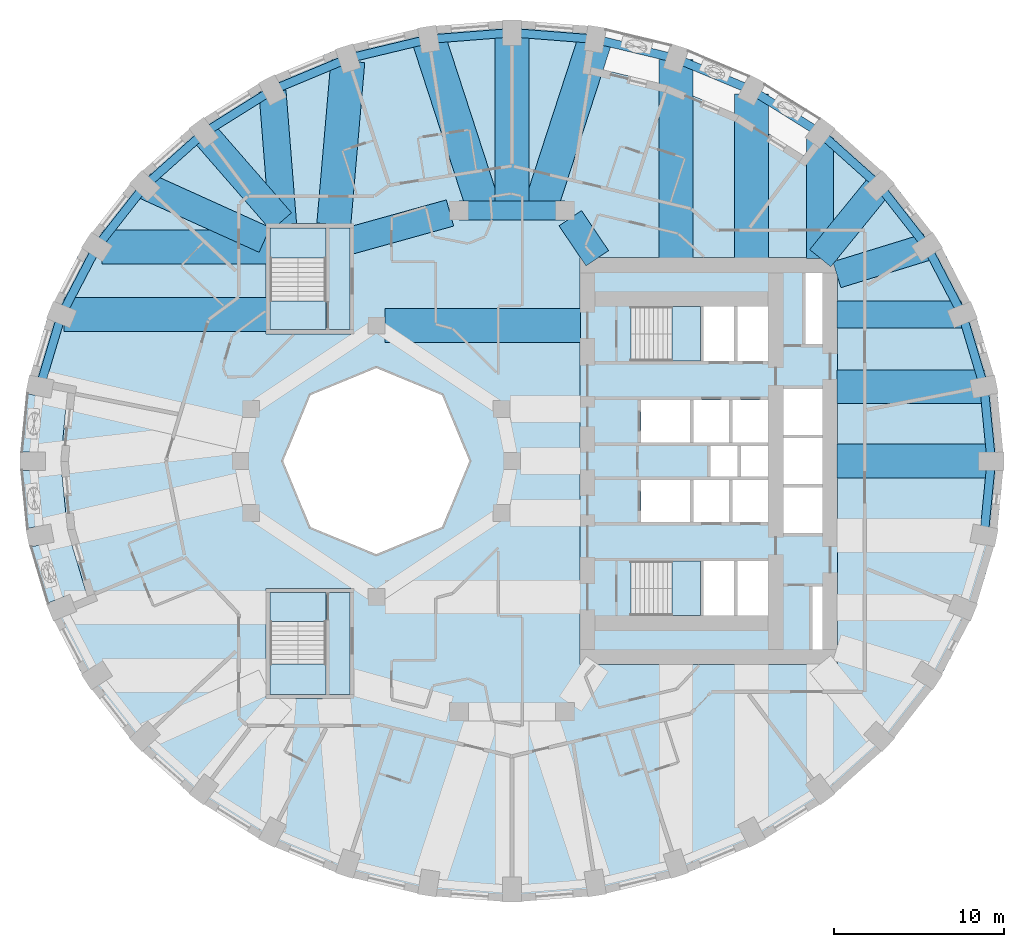
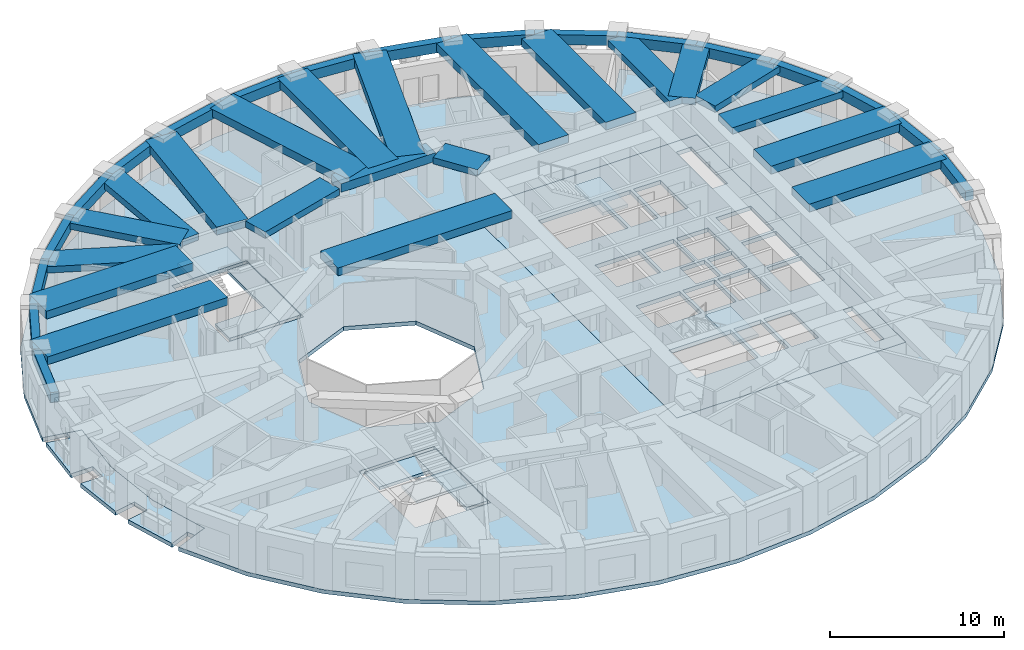
# One storey, part 2 of 14: 39 beams, 11 slabs, 4 elements without a shape of their own.
"""IFC4 building model written with IfcOpenShell, lengths in metres."""

from ifc_helpers import new_model, si_unit, direction, frame, origin, origin_2d, place, context, subcontext, project, spatial, polyline, rectangle, outline, extrude, material, layer, layer_set, material_profile, profile_set, type_object, element, aggregate, save


model = new_model("IFC4")

# Units and contexts
model_context = context("Model", 3, precision=1e-05, world=origin(), true_north=direction((0.0, 1.0)))
body_context = subcontext(model_context, "Body", "Model", "MODEL_VIEW")
ifc_project = project(units=[si_unit("LENGTHUNIT", "METRE"), si_unit("AREAUNIT", "SQUARE_METRE"), si_unit("VOLUMEUNIT", "CUBIC_METRE"), si_unit("PLANEANGLEUNIT", "RADIAN"), si_unit("MASSUNIT", "GRAM", prefix="KILO")], contexts=[model_context])

# Site, building, storey
site_placement = place(None, origin())
site = spatial("IfcSite", under=ifc_project, at=site_placement, CompositionType="ELEMENT")
building_placement = place(site_placement, origin())
building = spatial("IfcBuilding", under=site, at=building_placement, Name="Taillehof Tower", CompositionType="ELEMENT")
storey_placement = place(building_placement, frame((0.0, 0.0, 25.0)))
storey = spatial("IfcBuildingStorey", under=building, at=storey_placement, Name="L05", CompositionType="ELEMENT", Elevation=25.0)

# Beams
ifc_material_1 = material(Name="Concrete C50/60", Category="concrete")
ifc_material_profile_1 = material_profile(ifc_material_1, rectangle(XDim=1.10009765625, YDim=0.60009765625, at=origin_2d()), Name="RC 1100x600")
ifc_profile_set_1 = profile_set([ifc_material_profile_1], Name="Concrete C50/60")
beam_type_1 = type_object("IfcBeamType", Name="Mid-ring beam C50/60 1100x600", PredefinedType="BEAM", material=ifc_profile_set_1)
beam_1_placement = place(storey_placement, frame((3.125732421875, 14.772216796875, 2.719970703125), z_axis=(-1.0, 0.0, 0.0), x_axis=(0.0, -1.0, 0.0)))
element("IfcBeam", 1, at=beam_1_placement, inside=storey, type_object=beam_type_1, Name="Mid-ring beam MB01", PredefinedType="BEAM", context=body_context, shape_type="SweptSolid", body=[
    extrude(rectangle(XDim=1.10009765625, YDim=0.60009765625, at=origin_2d()), origin(), (0.0, 0.0, 1.0), 6.25146484375),
])
ifc_material_2 = material(Name="Concrete C50/60", Category="concrete")
ifc_material_profile_2 = material_profile(ifc_material_2, rectangle(XDim=1.60009765625, YDim=0.449951171875, at=origin_2d()), Name="RC 1600x450")
ifc_profile_set_2 = profile_set([ifc_material_profile_2], Name="Concrete C50/60")
beam_type_2 = type_object("IfcBeamType", Name="Radial band beam C50/60 1600x450", PredefinedType="BEAM", material=ifc_profile_set_2)
beam_2_placement = place(storey_placement, frame((26.490478515625, 8.635986328125, 2.794921875), z_axis=(-1.0, 0.0, 0.0), x_axis=(0.0, -1.0, 0.0)))
element("IfcBeam", 2, at=beam_2_placement, inside=storey, type_object=beam_type_2, Name="Radial band beam RB03", PredefinedType="BEAM", context=body_context, shape_type="SweptSolid", body=[
    extrude(rectangle(XDim=1.60009765625, YDim=0.449951171875, at=origin_2d()), origin(), (0.0, 0.0, 1.0), 7.340576171875),
])
beam_3_placement = place(storey_placement, frame((24.46533203125, 12.625, 2.794921875), z_axis=(-0.955535654338, -0.294875589511, 0.0), x_axis=(0.294875589511, -0.955535654338, 0.0)))
element("IfcBeam", 3, at=beam_3_placement, inside=storey, type_object=beam_type_2, Name="Radial band beam RB04", PredefinedType="BEAM", context=body_context, shape_type="SweptSolid", body=[
    extrude(rectangle(XDim=1.60009765625, YDim=0.449951171875, at=origin_2d()), origin(), (0.0, 0.0, 1.0), 5.560546875),
])
beam_4_placement = place(storey_placement, frame((21.640869140625, 16.23046875, 2.794921875), z_axis=(-0.630988373846, -0.775792286679, 0.0), x_axis=(0.775792286679, -0.630988373846, 0.0)))
element("IfcBeam", 4, at=beam_4_placement, inside=storey, type_object=beam_type_2, Name="Radial band beam RB05", PredefinedType="BEAM", context=body_context, shape_type="SweptSolid", body=[
    extrude(rectangle(XDim=1.60009765625, YDim=0.449951171875, at=origin_2d()), origin(), (0.0, 0.0, 1.0), 5.503173828125),
])
beam_5_placement = place(storey_placement, frame((18.15869140625, 19.05517578125, 2.794921875), z_axis=(0.0, -1.0, 0.0), x_axis=(1.0, 0.0, 0.0)))
element("IfcBeam", 5, at=beam_5_placement, inside=storey, type_object=beam_type_2, Name="Radial band beam RB06", PredefinedType="BEAM", context=body_context, shape_type="SweptSolid", body=[
    extrude(rectangle(XDim=1.60009765625, YDim=0.449951171875, at=origin_2d()), origin(), (0.0, 0.0, 1.0), 7.105224609375),
])
beam_6_placement = place(storey_placement, frame((-14.119873046875, 21.802978515625, 2.794921875), z_axis=(0.079184740988, -0.996859958467, 0.0), x_axis=(0.996859958467, 0.079184740988, 0.0)))
element("IfcBeam", 6, at=beam_6_placement, inside=storey, type_object=beam_type_2, Name="Radial band beam RB13", PredefinedType="BEAM", context=body_context, shape_type="SweptSolid", body=[
    extrude(rectangle(XDim=1.60009765625, YDim=0.449951171875, at=origin_2d()), origin(), (0.0, 0.0, 1.0), 7.87744140625),
])
beam_7_placement = place(storey_placement, frame((-18.15869140625, 19.342529296875, 2.794921875), z_axis=(0.65721824087, -0.753700327628, 0.0), x_axis=(0.753700327628, 0.65721824087, 0.0)))
element("IfcBeam", 7, at=beam_7_placement, inside=storey, type_object=beam_type_2, Name="Radial band beam RB14", PredefinedType="BEAM", context=body_context, shape_type="SweptSolid", body=[
    extrude(rectangle(XDim=1.60009765625, YDim=0.449951171875, at=origin_2d()), origin(), (0.0, 0.0, 1.0), 6.9384765625),
])
beam_8_placement = place(storey_placement, frame((-21.632568359375, 16.226806640625, 2.794921875), z_axis=(0.911100590789, -0.412184077161, 0.0), x_axis=(0.412184077161, 0.911100590789, 0.0)))
element("IfcBeam", 8, at=beam_8_placement, inside=storey, type_object=beam_type_2, Name="Radial band beam RB15", PredefinedType="BEAM", context=body_context, shape_type="SweptSolid", body=[
    extrude(rectangle(XDim=1.60009765625, YDim=0.449951171875, at=origin_2d()), origin(), (0.0, 0.0, 1.0), 7.740966796875),
])
beam_9_placement = place(storey_placement, frame((3.433837890625, 14.31640625, 2.794921875), z_axis=(0.560112043398, -0.828416862962, 0.0), x_axis=(0.828416862962, 0.560112043398, 0.0)))
element("IfcBeam", 9, at=beam_9_placement, inside=storey, type_object=beam_type_2, Name="Inner band beam IB205", PredefinedType="BEAM", context=body_context, shape_type="SweptSolid", body=[
    extrude(rectangle(XDim=1.60009765625, YDim=0.449951171875, at=origin_2d()), origin(), (0.0, 0.0, 1.0), 2.84619140625),
])
beam_10_placement = place(storey_placement, frame((-3.655517578125, 14.624755859375, 2.794921875), z_axis=(-0.963459369536, -0.267854518821, 0.0), x_axis=(0.267854518821, -0.963459369536, 0.0)))
element("IfcBeam", 10, at=beam_10_placement, inside=storey, type_object=beam_type_2, Name="Inner band beam IB206", PredefinedType="BEAM", context=body_context, shape_type="SweptSolid", body=[
    extrude(rectangle(XDim=1.60009765625, YDim=0.449951171875, at=origin_2d()), origin(), (0.0, 0.0, 1.0), 6.096923828125),
])
ifc_material_3 = material(Name="Concrete C50/60", Category="concrete")
ifc_material_profile_3 = material_profile(ifc_material_3, rectangle(XDim=2.0, YDim=0.550048828125, at=origin_2d()), Name="RC 2000x550")
ifc_profile_set_3 = profile_set([ifc_material_profile_3], Name="Concrete C50/60")
beam_type_3 = type_object("IfcBeamType", Name="Radial band beam C50/60 2000x550", PredefinedType="BEAM", material=ifc_profile_set_3)
beam_11_placement = place(storey_placement, frame((28.25, 0.0, 2.7451171875), z_axis=(-1.0, 0.0, 0.0), x_axis=(0.0, -1.0, 0.0)))
element("IfcBeam", 11, at=beam_11_placement, inside=storey, type_object=beam_type_3, Name="Radial band beam RB01", PredefinedType="BEAM", context=body_context, shape_type="SweptSolid", body=[
    extrude(rectangle(XDim=2.0, YDim=0.550048828125, at=origin_2d()), origin(), (0.0, 0.0, 1.0), 9.10009765625),
])
beam_12_placement = place(storey_placement, frame((27.82080078125, 4.384521484375, 2.7451171875), z_axis=(-1.0, 0.0, 0.0), x_axis=(0.0, -1.0, 0.0)))
element("IfcBeam", 12, at=beam_12_placement, inside=storey, type_object=beam_type_3, Name="Radial band beam RB02", PredefinedType="BEAM", context=body_context, shape_type="SweptSolid", body=[
    extrude(rectangle(XDim=2.0, YDim=0.550048828125, at=origin_2d()), origin(), (0.0, 0.0, 1.0), 8.6708984375),
])
beam_13_placement = place(storey_placement, frame((14.125, 21.63232421875, 2.7451171875), z_axis=(0.0, -1.0, 0.0), x_axis=(1.0, 0.0, 0.0)))
element("IfcBeam", 13, at=beam_13_placement, inside=storey, type_object=beam_type_3, Name="Radial band beam RB07", PredefinedType="BEAM", context=body_context, shape_type="SweptSolid", body=[
    extrude(rectangle(XDim=2.0, YDim=0.550048828125, at=origin_2d()), origin(), (0.0, 0.0, 1.0), 9.682373046875),
])
beam_14_placement = place(storey_placement, frame((9.662109375, 23.664794921875, 2.7451171875), z_axis=(0.0, -1.0, 0.0), x_axis=(1.0, 0.0, 0.0)))
element("IfcBeam", 14, at=beam_14_placement, inside=storey, type_object=beam_type_3, Name="Radial band beam RB08", PredefinedType="BEAM", context=body_context, shape_type="SweptSolid", body=[
    extrude(rectangle(XDim=2.0, YDim=0.550048828125, at=origin_2d()), origin(), (0.0, 0.0, 1.0), 11.71484375),
])
beam_15_placement = place(storey_placement, frame((4.905517578125, 24.866455078125, 2.7451171875), z_axis=(-0.309014294595, -0.951057393503, 0.0), x_axis=(0.951057393503, -0.309014294595, 0.0)))
element("IfcBeam", 15, at=beam_15_placement, inside=storey, type_object=beam_type_3, Name="Radial band beam RB09", PredefinedType="BEAM", context=body_context, shape_type="SweptSolid", body=[
    extrude(rectangle(XDim=2.0, YDim=0.550048828125, at=origin_2d()), origin(), (0.0, 0.0, 1.0), 10.61376953125),
])
beam_16_placement = place(storey_placement, frame((0.0, 25.25, 2.7451171875), z_axis=(0.0, -1.0, 0.0), x_axis=(1.0, 0.0, 0.0)))
element("IfcBeam", 16, at=beam_16_placement, inside=storey, type_object=beam_type_3, Name="Radial band beam RB10", PredefinedType="BEAM", context=body_context, shape_type="SweptSolid", body=[
    extrude(rectangle(XDim=2.0, YDim=0.550048828125, at=origin_2d()), origin(), (0.0, 0.0, 1.0), 10.477783203125),
])
beam_17_placement = place(storey_placement, frame((-4.905517578125, 24.866455078125, 2.7451171875), z_axis=(0.309014294595, -0.951057393503, 0.0), x_axis=(0.951057393503, 0.309014294595, 0.0)))
element("IfcBeam", 17, at=beam_17_placement, inside=storey, type_object=beam_type_3, Name="Radial band beam RB11", PredefinedType="BEAM", context=body_context, shape_type="SweptSolid", body=[
    extrude(rectangle(XDim=2.0, YDim=0.550048828125, at=origin_2d()), origin(), (0.0, 0.0, 1.0), 10.61376953125),
])
beam_18_placement = place(storey_placement, frame((-9.675048828125, 23.575927734375, 2.7451171875), z_axis=(-0.085841202752, -0.996308831593, 0.0), x_axis=(0.996308831593, -0.085841202752, 0.0)))
element("IfcBeam", 18, at=beam_18_placement, inside=storey, type_object=beam_type_3, Name="Radial band beam RB12", PredefinedType="BEAM", context=body_context, shape_type="SweptSolid", body=[
    extrude(rectangle(XDim=2.0, YDim=0.550048828125, at=origin_2d()), origin(), (0.0, 0.0, 1.0), 9.661376953125),
])
beam_19_placement = place(storey_placement, frame((-24.172607421875, 12.625, 2.7451171875), z_axis=(1.0, 0.0, 0.0), x_axis=(0.0, 1.0, 0.0)))
element("IfcBeam", 19, at=beam_19_placement, inside=storey, type_object=beam_type_3, Name="Radial band beam RB16", PredefinedType="BEAM", context=body_context, shape_type="SweptSolid", body=[
    extrude(rectangle(XDim=2.0, YDim=0.550048828125, at=origin_2d()), origin(), (0.0, 0.0, 1.0), 9.72265625),
])
beam_20_placement = place(storey_placement, frame((-26.408935546875, 8.635986328125, 2.7451171875), z_axis=(1.0, 0.0, 0.0), x_axis=(0.0, 1.0, 0.0)))
element("IfcBeam", 20, at=beam_20_placement, inside=storey, type_object=beam_type_3, Name="Radial band beam RB17", PredefinedType="BEAM", context=body_context, shape_type="SweptSolid", body=[
    extrude(rectangle(XDim=2.0, YDim=0.550048828125, at=origin_2d()), origin(), (0.0, 0.0, 1.0), 11.958984375),
])
beam_21_placement = place(storey_placement, frame((-7.5, 8.0, 2.7451171875), z_axis=(1.0, 0.0, 0.0), x_axis=(0.0, 1.0, 0.0)))
element("IfcBeam", 21, at=beam_21_placement, inside=storey, type_object=beam_type_3, Name="Inner band beam IB105", PredefinedType="BEAM", context=body_context, shape_type="SweptSolid", body=[
    extrude(rectangle(XDim=2.0, YDim=0.550048828125, at=origin_2d()), origin(), (0.0, 0.0, 1.0), 11.550048828125),
])
ifc_material_4 = material(Name="Concrete C50/60", Category="concrete")
ifc_material_profile_4 = material_profile(ifc_material_4, rectangle(XDim=0.5, YDim=0.699951171875, at=origin_2d()), Name="RC 500x700")
ifc_profile_set_4 = profile_set([ifc_material_profile_4], Name="Concrete C50/60")
beam_type_4 = type_object("IfcBeamType", Name="Spandrel beam C50/60 500x700", PredefinedType="SPANDREL", material=ifc_profile_set_4)
beam_22_placement = place(storey_placement, frame((28.25, 0.0, 2.669921875), z_axis=(-0.097423973567, 0.99524297002, 0.0), x_axis=(-0.99524297002, -0.097423973567, 0.0)))
element("IfcBeam", 22, at=beam_22_placement, inside=storey, type_object=beam_type_4, Name="Spandrel beam SB01", PredefinedType="SPANDREL", context=body_context, shape_type="SweptSolid", body=[
    extrude(rectangle(XDim=0.5, YDim=0.699951171875, at=origin_2d()), origin(), (0.0, 0.0, 1.0), 4.405517578125),
])
beam_23_placement = place(storey_placement, frame((27.82080078125, 4.384521484375, 2.669921875), z_axis=(-0.287135925407, 0.957889847707, 0.0), x_axis=(-0.957889847707, -0.287135925407, 0.0)))
element("IfcBeam", 23, at=beam_23_placement, inside=storey, type_object=beam_type_4, Name="Spandrel beam SB02", PredefinedType="SPANDREL", context=body_context, shape_type="SweptSolid", body=[
    extrude(rectangle(XDim=0.5, YDim=0.699951171875, at=origin_2d()), origin(), (0.0, 0.0, 1.0), 4.4384765625),
])
beam_24_placement = place(storey_placement, frame((26.54638671875, 8.635986328125, 2.669921875), z_axis=(-0.462536335232, 0.886600326297, 0.0), x_axis=(-0.886600326297, -0.462536335232, 0.0)))
element("IfcBeam", 24, at=beam_24_placement, inside=storey, type_object=beam_type_4, Name="Spandrel beam SB03", PredefinedType="SPANDREL", context=body_context, shape_type="SweptSolid", body=[
    extrude(rectangle(XDim=0.5, YDim=0.699951171875, at=origin_2d()), origin(), (0.0, 0.0, 1.0), 4.499267578125),
])
beam_25_placement = place(storey_placement, frame((24.46533203125, 12.625, 2.669921875), z_axis=(-0.616686200373, 0.787209076593, 0.0), x_axis=(-0.787209076593, -0.616686200373, 0.0)))
element("IfcBeam", 25, at=beam_25_placement, inside=storey, type_object=beam_type_4, Name="Spandrel beam SB04", PredefinedType="SPANDREL", context=body_context, shape_type="SweptSolid", body=[
    extrude(rectangle(XDim=0.5, YDim=0.699951171875, at=origin_2d()), origin(), (0.0, 0.0, 1.0), 4.580078125),
])
beam_26_placement = place(storey_placement, frame((21.640869140625, 16.23046875, 2.669921875), z_axis=(-0.745621283614, 0.666369943366, 0.0), x_axis=(-0.666369943366, -0.745621283614, 0.0)))
element("IfcBeam", 26, at=beam_26_placement, inside=storey, type_object=beam_type_4, Name="Spandrel beam SB05", PredefinedType="SPANDREL", context=body_context, shape_type="SweptSolid", body=[
    extrude(rectangle(XDim=0.5, YDim=0.699951171875, at=origin_2d()), origin(), (0.0, 0.0, 1.0), 4.670166015625),
])
beam_27_placement = place(storey_placement, frame((18.15869140625, 19.342529296875, 2.669921875), z_axis=(-0.847658018883, 0.530543007703, 0.0), x_axis=(-0.530543007703, -0.847658018883, 0.0)))
element("IfcBeam", 27, at=beam_27_placement, inside=storey, type_object=beam_type_4, Name="Spandrel beam SB06", PredefinedType="SPANDREL", context=body_context, shape_type="SweptSolid", body=[
    extrude(rectangle(XDim=0.5, YDim=0.699951171875, at=origin_2d()), origin(), (0.0, 0.0, 1.0), 4.758544921875),
])
beam_28_placement = place(storey_placement, frame((14.125, 21.8671875, 2.669921875), z_axis=(-0.923035088053, 0.384715773297, 0.0), x_axis=(-0.384715773297, -0.923035088053, 0.0)))
element("IfcBeam", 28, at=beam_28_placement, inside=storey, type_object=beam_type_4, Name="Spandrel beam SB07", PredefinedType="SPANDREL", context=body_context, shape_type="SweptSolid", body=[
    extrude(rectangle(XDim=0.5, YDim=0.699951171875, at=origin_2d()), origin(), (0.0, 0.0, 1.0), 4.8349609375),
])
beam_29_placement = place(storey_placement, frame((9.662109375, 23.727294921875, 2.669921875), z_axis=(-0.9724995553, 0.232904733616, 0.0), x_axis=(-0.232904733616, -0.9724995553, 0.0)))
element("IfcBeam", 29, at=beam_29_placement, inside=storey, type_object=beam_type_4, Name="Spandrel beam SB08", PredefinedType="SPANDREL", context=body_context, shape_type="SweptSolid", body=[
    extrude(rectangle(XDim=0.5, YDim=0.699951171875, at=origin_2d()), origin(), (0.0, 0.0, 1.0), 4.89111328125),
])
for number, where, z_axis, x_axis, name in (
    (30, (4.905517578125, 24.866455078125, 2.669921875), (-0.996957383661, 0.077948541767, 0.0), (-0.077948541767, -0.996957383661, 0.0), "Spandrel beam SB09"),
    (31, (0.0, 25.25, 2.669921875), (-0.996957383661, -0.077948541767, 0.0), (0.077948541767, -0.996957383661, 0.0), "Spandrel beam SB10"),
):
    element("IfcBeam", number, at=place(storey_placement, frame(where, z_axis=z_axis, x_axis=x_axis)), inside=storey, type_object=beam_type_4, Name=name, PredefinedType="SPANDREL", context=body_context, shape_type="SweptSolid", body=[
        extrude(rectangle(XDim=0.5, YDim=0.699951171875, at=origin_2d()), origin(), (0.0, 0.0, 1.0), 4.92041015625),
    ])
beam_30_placement = place(storey_placement, frame((-4.905517578125, 24.866455078125, 2.669921875), z_axis=(-0.9724995553, -0.232904733616, 0.0), x_axis=(0.232904733616, -0.9724995553, 0.0)))
element("IfcBeam", 32, at=beam_30_placement, inside=storey, type_object=beam_type_4, Name="Spandrel beam SB11", PredefinedType="SPANDREL", context=body_context, shape_type="SweptSolid", body=[
    extrude(rectangle(XDim=0.5, YDim=0.699951171875, at=origin_2d()), origin(), (0.0, 0.0, 1.0), 4.89111328125),
])
beam_31_placement = place(storey_placement, frame((-9.662109375, 23.727294921875, 2.669921875), z_axis=(-0.923035088053, -0.384715773297, 0.0), x_axis=(0.384715773297, -0.923035088053, 0.0)))
element("IfcBeam", 33, at=beam_31_placement, inside=storey, type_object=beam_type_4, Name="Spandrel beam SB12", PredefinedType="SPANDREL", context=body_context, shape_type="SweptSolid", body=[
    extrude(rectangle(XDim=0.5, YDim=0.699951171875, at=origin_2d()), origin(), (0.0, 0.0, 1.0), 4.8349609375),
])
beam_32_placement = place(storey_placement, frame((-14.125, 21.8671875, 2.669921875), z_axis=(-0.847658018883, -0.530543007703, 0.0), x_axis=(0.530543007703, -0.847658018883, 0.0)))
element("IfcBeam", 34, at=beam_32_placement, inside=storey, type_object=beam_type_4, Name="Spandrel beam SB13", PredefinedType="SPANDREL", context=body_context, shape_type="SweptSolid", body=[
    extrude(rectangle(XDim=0.5, YDim=0.699951171875, at=origin_2d()), origin(), (0.0, 0.0, 1.0), 4.758544921875),
])
beam_33_placement = place(storey_placement, frame((-18.15869140625, 19.342529296875, 2.669921875), z_axis=(-0.745621283614, -0.666369943366, 0.0), x_axis=(0.666369943366, -0.745621283614, 0.0)))
element("IfcBeam", 35, at=beam_33_placement, inside=storey, type_object=beam_type_4, Name="Spandrel beam SB14", PredefinedType="SPANDREL", context=body_context, shape_type="SweptSolid", body=[
    extrude(rectangle(XDim=0.5, YDim=0.699951171875, at=origin_2d()), origin(), (0.0, 0.0, 1.0), 4.670166015625),
])
beam_34_placement = place(storey_placement, frame((-21.640869140625, 16.23046875, 2.669921875), z_axis=(-0.616686200373, -0.787209076593, 0.0), x_axis=(0.787209076593, -0.616686200373, 0.0)))
element("IfcBeam", 36, at=beam_34_placement, inside=storey, type_object=beam_type_4, Name="Spandrel beam SB15", PredefinedType="SPANDREL", context=body_context, shape_type="SweptSolid", body=[
    extrude(rectangle(XDim=0.5, YDim=0.699951171875, at=origin_2d()), origin(), (0.0, 0.0, 1.0), 4.580078125),
])
beam_35_placement = place(storey_placement, frame((-24.46533203125, 12.625, 2.669921875), z_axis=(-0.462536335232, -0.886600326297, 0.0), x_axis=(0.886600326297, -0.462536335232, 0.0)))
element("IfcBeam", 37, at=beam_35_placement, inside=storey, type_object=beam_type_4, Name="Spandrel beam SB16", PredefinedType="SPANDREL", context=body_context, shape_type="SweptSolid", body=[
    extrude(rectangle(XDim=0.5, YDim=0.699951171875, at=origin_2d()), origin(), (0.0, 0.0, 1.0), 4.499267578125),
])
beam_36_placement = place(storey_placement, frame((-26.54638671875, 8.635986328125, 2.669921875), z_axis=(-0.287135925407, -0.957889847707, 0.0), x_axis=(0.957889847707, -0.287135925407, 0.0)))
element("IfcBeam", 38, at=beam_36_placement, inside=storey, type_object=beam_type_4, Name="Spandrel beam SB17", PredefinedType="SPANDREL", context=body_context, shape_type="SweptSolid", body=[
    extrude(rectangle(XDim=0.5, YDim=0.699951171875, at=origin_2d()), origin(), (0.0, 0.0, 1.0), 4.4384765625),
])
beam_37_placement = place(storey_placement, frame((27.82080078125, -4.384521484375, 2.669921875), z_axis=(0.097423973567, 0.99524297002, 0.0), x_axis=(-0.99524297002, 0.097423973567, 0.0)))
element("IfcBeam", 39, at=beam_37_placement, inside=storey, type_object=beam_type_4, Name="Spandrel beam SB36", PredefinedType="SPANDREL", context=body_context, shape_type="SweptSolid", body=[
    extrude(rectangle(XDim=0.5, YDim=0.699951171875, at=origin_2d()), origin(), (0.0, 0.0, 1.0), 4.405517578125),
])

# Slabs
ifc_material_5 = material(Name="Concrete C40/50", Category="concrete")
ifc_layer_1 = layer(ifc_material_5, 0.280029296875)
ifc_layer_set_1 = layer_set([ifc_layer_1], Name="Balcony slab 280")
slab_type_1 = type_object("IfcSlabType", Name="Balcony slab 280", PredefinedType="USERDEFINED", material=ifc_layer_set_1)
slab_1_placement = place(storey_placement, frame((0.0, 0.0, -0.280029296875)))
element("IfcSlab", 40, at=slab_1_placement, inside=storey, type_object=slab_type_1, Name="Balcony L05 pocket 5", ObjectType="BALCONY", PredefinedType="USERDEFINED", context=body_context, shape_type="SweptSolid", body=[
    extrude(outline(polyline([(-25.02734375, -7.98974609375), (-25.86181640625, -8.328369140625), (-26.058349609375, -7.84423828125), (-27.4013671875, -8.3896484375), (-28.39697265625, -5.058349609375), (-26.978759765625, -4.779541015625), (-27.191162109375, -3.7001953125), (-28.611572265625, -3.979736328125), (-28.9462890625, -0.550048828125), (-27.5, -0.550048828125), (-27.5, 0.550048828125), (-28.9462890625, 0.550048828125), (-28.611572265625, 3.979736328125), (-27.191162109375, 3.7001953125), (-27.087646484375, 4.225341796875), (-26.20458984375, 4.0517578125), (-26.60009765625, 0.0), (-26.20458984375, -4.0517578125), (-25.02734375, -7.98974609375)])), origin(), (0.0, 0.0, 1.0), 0.280029296875),
])
ifc_material_6 = material(Name="Concrete C40/50", Category="concrete")
ifc_layer_2 = layer(ifc_material_6, 0.280029296875)
ifc_layer_set_2 = layer_set([ifc_layer_2], Name="Core floor slab C40/50 280")
slab_type_2 = type_object("IfcSlabType", Name="Core floor slab C40/50 280", PredefinedType="FLOOR", material=ifc_layer_set_2)
slab_2_placement = place(storey_placement, frame((0.0, 0.0, -0.280029296875)))
element("IfcSlab", 41, at=slab_2_placement, inside=storey, type_object=slab_type_2, Name="Core floor L05", PredefinedType="FLOOR", context=body_context, shape_type="SweptSolid", body=[
    extrude(outline(polyline([(4.0, -12.0), (4.0, 12.0), (19.199951171875, 12.0), (19.199951171875, -12.0), (4.0, -12.0)]), holes=[polyline([(7.00048828125, -9.10009765625), (11.10009765625, -9.10009765625), (11.10009765625, -5.89990234375), (7.00048828125, -5.89990234375), (7.00048828125, -9.10009765625)]), polyline([(13.10009765625, -9.10009765625), (13.10009765625, -5.89990234375), (11.300048828125, -5.89990234375), (11.300048828125, -9.10009765625), (13.10009765625, -9.10009765625)]), polyline([(10.5, -3.60009765625), (10.5, -1.10009765625), (7.60009765625, -1.10009765625), (7.60009765625, -3.60009765625), (10.5, -3.60009765625)]), polyline([(12.800048828125, -3.60009765625), (12.800048828125, -1.10009765625), (10.699951171875, -1.10009765625), (10.699951171875, -3.60009765625), (12.800048828125, -3.60009765625)]), polyline([(13.300048828125, -0.89990234375), (13.300048828125, 0.89990234375), (11.699951171875, 0.89990234375), (11.699951171875, -0.89990234375), (13.300048828125, -0.89990234375)]), polyline([(10.5, 1.10009765625), (10.5, 3.60009765625), (7.60009765625, 3.60009765625), (7.60009765625, 1.10009765625), (10.5, 1.10009765625)]), polyline([(12.800048828125, 1.10009765625), (12.800048828125, 3.60009765625), (10.699951171875, 3.60009765625), (10.699951171875, 1.10009765625), (12.800048828125, 1.10009765625)]), polyline([(13.0, 1.10009765625), (15.10009765625, 1.10009765625), (15.10009765625, 3.60009765625), (13.0, 3.60009765625), (13.0, 1.10009765625)]), polyline([(11.300048828125, 5.89990234375), (13.10009765625, 5.89990234375), (13.10009765625, 9.10009765625), (11.300048828125, 9.10009765625), (11.300048828125, 5.89990234375)]), polyline([(11.10009765625, 5.89990234375), (11.10009765625, 9.10009765625), (7.00048828125, 9.10009765625), (7.00048828125, 5.89990234375), (11.10009765625, 5.89990234375)]), polyline([(18.300048828125, -11.10009765625), (18.300048828125, -7.39990234375), (17.699951171875, -7.39990234375), (17.699951171875, -11.10009765625), (18.300048828125, -11.10009765625)]), polyline([(15.10009765625, -9.10009765625), (15.10009765625, -5.89990234375), (13.300048828125, -5.89990234375), (13.300048828125, -9.10009765625), (15.10009765625, -9.10009765625)]), polyline([(16.0, -4.25), (18.300048828125, -4.25), (18.300048828125, -1.550048828125), (16.0, -1.550048828125), (16.0, -4.25)]), polyline([(13.0, -3.60009765625), (15.10009765625, -3.60009765625), (15.10009765625, -1.10009765625), (13.0, -1.10009765625), (13.0, -3.60009765625)]), polyline([(15.10009765625, -0.89990234375), (15.10009765625, 0.89990234375), (13.5, 0.89990234375), (13.5, -0.89990234375), (15.10009765625, -0.89990234375)]), polyline([(18.300048828125, -1.35009765625), (18.300048828125, 1.35009765625), (16.0, 1.35009765625), (16.0, -1.35009765625), (18.300048828125, -1.35009765625)]), polyline([(18.300048828125, 1.550048828125), (18.300048828125, 4.25), (16.0, 4.25), (16.0, 1.550048828125), (18.300048828125, 1.550048828125)]), polyline([(13.300048828125, 5.89990234375), (15.10009765625, 5.89990234375), (15.10009765625, 9.10009765625), (13.300048828125, 9.10009765625), (13.300048828125, 5.89990234375)]), polyline([(17.300048828125, 6.89990234375), (18.300048828125, 6.89990234375), (18.300048828125, 11.10009765625), (17.300048828125, 11.10009765625), (17.300048828125, 6.89990234375)])]), origin(), (0.0, 0.0, 1.0), 0.280029296875),
])
ifc_material_7 = material(Name="Concrete C40/50", Category="concrete")
ifc_layer_3 = layer(ifc_material_7, 0.280029296875)
ifc_layer_set_3 = layer_set([ifc_layer_3], Name="Floor slab 280")
slab_type_3 = type_object("IfcSlabType", Name="Floor slab 280", PredefinedType="FLOOR", material=ifc_layer_set_3)
slab_3_placement = place(storey_placement, frame((0.0, 0.0, -0.280029296875)))
element("IfcSlab", 42, at=slab_3_placement, inside=storey, type_object=slab_type_3, Name="Floor slab L05", PredefinedType="FLOOR", context=body_context, shape_type="SweptSolid", body=[
    extrude(outline(polyline([(29.0, 0.0), (28.559326171875, 4.514892578125), (27.251220703125, 8.892578125), (25.11474609375, 13.0), (22.21533203125, 16.71240234375), (18.640869140625, 19.917236328125), (17.197998046875, 17.999267578125), (13.396728515625, 20.38525390625), (9.174072265625, 22.150390625), (4.660888671875, 23.234375), (5.035888671875, 25.60498046875), (0.0, 26.0), (-5.035888671875, 25.60498046875), (-9.918701171875, 24.431884765625), (-14.5, 22.5166015625), (-18.640869140625, 19.917236328125), (-22.21533203125, 16.71240234375), (-25.11474609375, 13.0), (-27.251220703125, 8.892578125), (-28.559326171875, 4.514892578125), (-26.20458984375, 4.0517578125), (-26.60009765625, 0.0), (-26.20458984375, -4.0517578125), (-25.02734375, -7.98974609375), (-27.251220703125, -8.892578125), (-25.11474609375, -13.0), (-22.21533203125, -16.71240234375), (-18.640869140625, -19.917236328125), (-14.5, -22.5166015625), (-9.918701171875, -24.431884765625), (-5.035888671875, -25.60498046875), (0.0, -26.0), (5.035888671875, -25.60498046875), (9.918701171875, -24.431884765625), (14.5, -22.5166015625), (18.640869140625, -19.917236328125), (22.21533203125, -16.71240234375), (25.11474609375, -13.0), (27.251220703125, -8.892578125), (28.559326171875, -4.514892578125), (29.0, 0.0)]), holes=[polyline([(-14.5, -7.5), (-9.5, -7.5), (-9.5, -14.0), (-14.5, -14.0), (-14.5, -7.5)]), polyline([(-8.0, -5.5), (-11.88916015625, -3.88916015625), (-13.5, 0.0), (-11.88916015625, 3.88916015625), (-8.0, 5.5), (-4.11083984375, 3.88916015625), (-2.5, 0.0), (-4.11083984375, -3.88916015625), (-8.0, -5.5)]), polyline([(19.199951171875, 12.0), (19.199951171875, -12.0), (4.0, -12.0), (4.0, 12.0), (19.199951171875, 12.0)]), polyline([(-14.5, 14.0), (-9.5, 14.0), (-9.5, 7.5), (-14.5, 7.5), (-14.5, 14.0)])]), origin(), (0.0, 0.0, 1.0), 0.280029296875),
])

# Stair, slab
ifc_material_8 = material(Name="Concrete C40/50", Category="concrete")
stair_type = type_object("IfcStairType", Name="Exit stair half-turn", PredefinedType="HALF_TURN_STAIR", material=ifc_material_8)
stair_1_placement = place(storey_placement, origin())
stair_1 = element("IfcStair", 43, at=stair_1_placement, inside=storey, type_object=stair_type, Name="Exit stair S1", PredefinedType="HALF_TURN_STAIR")
ifc_material_9 = material(Name="Concrete C40/50", Category="concrete")
ifc_layer_4 = layer(ifc_material_9, 0.2099609375)
ifc_layer_set_4 = layer_set([ifc_layer_4], Name="Stair landing C40/50 210")
slab_type_4 = type_object("IfcSlabType", Name="Stair landing C40/50 210", PredefinedType="LANDING", material=ifc_layer_set_4)
slab_4_placement = place(storey_placement, frame((0.0, 0.0, 1.43994140625)))
slab_4 = element("IfcSlab", 44, at=slab_4_placement, type_object=slab_type_4, Name="S1 landing 1", PredefinedType="LANDING", context=body_context, shape_type="SweptSolid", body=[
    extrude(outline(polyline([(9.429931640625, 5.89990234375), (11.10009765625, 5.89990234375), (11.10009765625, 9.10009765625), (9.429931640625, 9.10009765625), (9.429931640625, 5.89990234375)])), origin(), (0.0, 0.0, 1.0), 0.2099609375),
])
aggregate(stair_1, [slab_4])

stair_2_placement = place(storey_placement, origin())
stair_2 = element("IfcStair", 45, at=stair_2_placement, inside=storey, type_object=stair_type, Name="Exit stair S2", PredefinedType="HALF_TURN_STAIR")
slab_5_placement = place(storey_placement, frame((0.0, 0.0, 1.43994140625)))
slab_5 = element("IfcSlab", 46, at=slab_5_placement, type_object=slab_type_4, Name="S2 landing 1", PredefinedType="LANDING", context=body_context, shape_type="SweptSolid", body=[
    extrude(outline(polyline([(9.429931640625, -5.89990234375), (11.10009765625, -5.89990234375), (11.10009765625, -9.10009765625), (9.429931640625, -9.10009765625), (9.429931640625, -5.89990234375)])), origin(), (0.0, 0.0, 1.0), 0.2099609375),
])
aggregate(stair_2, [slab_5])

stair_3_placement = place(storey_placement, origin())
stair_3 = element("IfcStair", 47, at=stair_3_placement, inside=storey, type_object=stair_type, Name="Exit stair S3", PredefinedType="HALF_TURN_STAIR")
slab_6_placement = place(storey_placement, frame((0.0, 0.0, 1.43994140625)))
slab_6 = element("IfcSlab", 48, at=slab_6_placement, type_object=slab_type_4, Name="S3 landing 1", PredefinedType="LANDING", context=body_context, shape_type="SweptSolid", body=[
    extrude(outline(polyline([(-14.25, 11.969970703125), (-14.25, 13.75), (-10.949951171875, 13.75), (-10.949951171875, 11.969970703125), (-14.25, 11.969970703125)])), origin(), (0.0, 0.0, 1.0), 0.2099609375),
])
aggregate(stair_3, [slab_6])

stair_4_placement = place(storey_placement, origin())
stair_4 = element("IfcStair", 49, at=stair_4_placement, inside=storey, type_object=stair_type, Name="Exit stair S4", PredefinedType="HALF_TURN_STAIR")
slab_7_placement = place(storey_placement, frame((0.0, 0.0, 1.43994140625)))
slab_7 = element("IfcSlab", 50, at=slab_7_placement, type_object=slab_type_4, Name="S4 landing 1", PredefinedType="LANDING", context=body_context, shape_type="SweptSolid", body=[
    extrude(outline(polyline([(-14.25, -11.969970703125), (-14.25, -13.75), (-10.949951171875, -13.75), (-10.949951171875, -11.969970703125), (-14.25, -11.969970703125)])), origin(), (0.0, 0.0, 1.0), 0.2099609375),
])
aggregate(stair_4, [slab_7])

# Slabs
slab_8_placement = place(storey_placement, frame((0.0, 0.0, -0.2099609375)))
element("IfcSlab", 51, at=slab_8_placement, inside=storey, type_object=slab_type_4, Name="Stair S3 floor landing", PredefinedType="LANDING", context=body_context, shape_type="SweptSolid", body=[
    extrude(outline(polyline([(-14.25, 7.75), (-14.25, 9.449951171875), (-10.949951171875, 9.449951171875), (-10.949951171875, 7.75), (-14.25, 7.75)])), origin(), (0.0, 0.0, 1.0), 0.2099609375),
])
slab_9_placement = place(storey_placement, frame((0.0, 0.0, -0.2099609375)))
element("IfcSlab", 52, at=slab_9_placement, inside=storey, type_object=slab_type_4, Name="Stair lobby S3 floor", PredefinedType="LANDING", context=body_context, shape_type="SweptSolid", body=[
    extrude(outline(polyline([(-10.949951171875, 7.75), (-9.550048828125, 7.75), (-9.550048828125, 13.75), (-10.949951171875, 13.75), (-10.949951171875, 7.75)])), origin(), (0.0, 0.0, 1.0), 0.2099609375),
])
slab_10_placement = place(storey_placement, frame((0.0, 0.0, -0.2099609375)))
element("IfcSlab", 53, at=slab_10_placement, inside=storey, type_object=slab_type_4, Name="Stair S4 floor landing", PredefinedType="LANDING", context=body_context, shape_type="SweptSolid", body=[
    extrude(outline(polyline([(-14.25, -7.75), (-14.25, -9.449951171875), (-10.949951171875, -9.449951171875), (-10.949951171875, -7.75), (-14.25, -7.75)])), origin(), (0.0, 0.0, 1.0), 0.2099609375),
])
slab_11_placement = place(storey_placement, frame((0.0, 0.0, -0.2099609375)))
element("IfcSlab", 54, at=slab_11_placement, inside=storey, type_object=slab_type_4, Name="Stair lobby S4 floor", PredefinedType="LANDING", context=body_context, shape_type="SweptSolid", body=[
    extrude(outline(polyline([(-10.949951171875, -13.75), (-9.550048828125, -13.75), (-9.550048828125, -7.75), (-10.949951171875, -7.75), (-10.949951171875, -13.75)])), origin(), (0.0, 0.0, 1.0), 0.2099609375),
])

save(model, "model.ifc")
